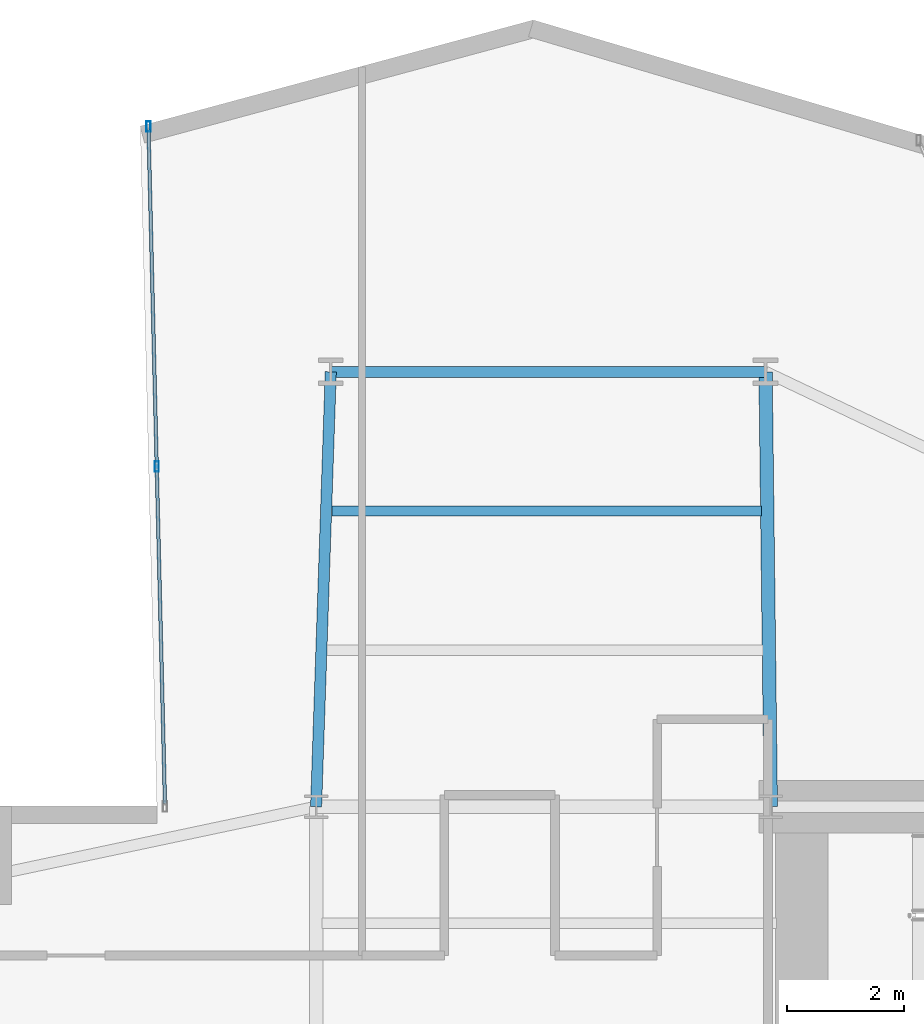
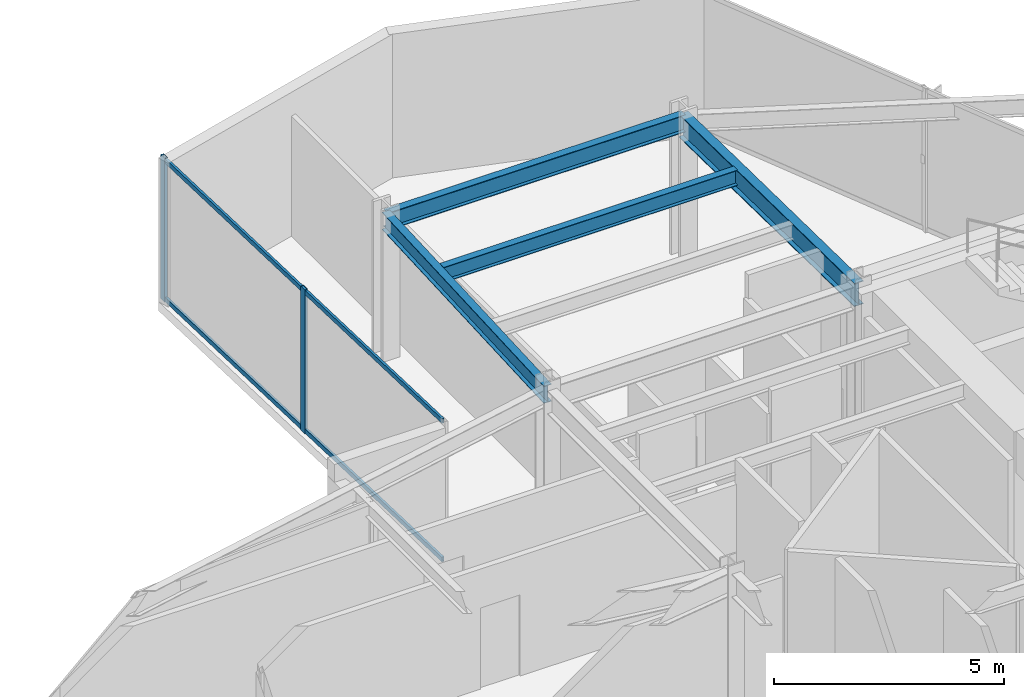
# One storey, part 16 of 25: 4 beams, 4 members, 1 element without a shape of its own.
"""IFC4 building model written with IfcOpenShell, lengths in metres."""

from ifc_helpers import new_model, si_unit, direction, frame, origin, origin_2d, place, context, subcontext, project, spatial, hollow_rectangle, i_section, extrude, material, layer, layer_set, material_profile, profile_set, type_object, element, aggregate, save


model = new_model("IFC4")

# Units and contexts
model_context = context("Model", 3, precision=1e-05, world=origin(), true_north=direction((0.0, 1.0)))
body_context = subcontext(model_context, "Body", "Model", "MODEL_VIEW")
ifc_project = project(units=[si_unit("LENGTHUNIT", "METRE"), si_unit("AREAUNIT", "SQUARE_METRE"), si_unit("VOLUMEUNIT", "CUBIC_METRE"), si_unit("PLANEANGLEUNIT", "RADIAN"), si_unit("MASSUNIT", "GRAM", prefix="KILO")], contexts=[model_context])

# Site, building, storey
site_placement = place(None, origin())
site = spatial("IfcSite", under=ifc_project, at=site_placement, CompositionType="ELEMENT")
building_placement = place(site_placement, origin())
building = spatial("IfcBuilding", under=site, at=building_placement, Name="Veymaron Broadcast Tower", CompositionType="ELEMENT")
storey_placement = place(building_placement, frame((0.0, 0.0, 74.25)))
storey = spatial("IfcBuildingStorey", under=building, at=storey_placement, Name="L16", CompositionType="ELEMENT", Elevation=74.25)

# Beams
ifc_material_1 = material(Name="Structural steel ASTM A992 Gr 50", Category="steel")
ifc_material_profile_1 = material_profile(ifc_material_1, i_section(OverallWidth=0.22998046875, OverallDepth=0.616943359375, WebThickness=0.01318359375, FlangeThickness=0.022216796875, at=origin_2d()), Name="W610X140")
ifc_profile_set_1 = profile_set([ifc_material_profile_1], Name="Structural steel ASTM A992 Gr 50")
beam_type_1 = type_object("IfcBeamType", Name="BM-FG1", PredefinedType="BEAM", material=ifc_profile_set_1)
beam_1_placement = place(storey_placement, frame((39.0, 32.0, 3.50146484375), z_axis=(-0.012075307518, 0.999927090816, 0.0), x_axis=(-0.999927090816, -0.012075307518, 0.0)))
element("IfcBeam", 1, at=beam_1_placement, inside=storey, type_object=beam_type_1, Name="L16 primary structural floor girder", PredefinedType="BEAM", context=body_context, shape_type="SweptSolid", body=[
    extrude(i_section(OverallWidth=0.22998046875, OverallDepth=0.616943359375, WebThickness=0.01318359375, FlangeThickness=0.022216796875, at=origin_2d()), origin(), (0.0, 0.0, 1.0), 7.46044921875),
])
ifc_material_profile_2 = material_profile(ifc_material_1, i_section(OverallWidth=0.177978515625, OverallDepth=0.406982421875, WebThickness=0.0078125, FlangeThickness=0.0126953125, at=origin_2d()), Name="W410X60")
ifc_profile_set_2 = profile_set([ifc_material_profile_2], Name="Structural steel ASTM A992 Gr 50")
beam_type_2 = type_object("IfcBeamType", Name="BM-JS1", PredefinedType="JOIST", material=ifc_profile_set_2)
beam_2_placement = place(storey_placement, frame((31.471435546875, 37.07275390625, 3.6064453125), z_axis=(1.0, 0.0, 0.0), x_axis=(0.0, 1.0, 0.0)))
element("IfcBeam", 2, at=beam_2_placement, inside=storey, type_object=beam_type_2, Name="L16 Arm-B secondary joist 2", PredefinedType="JOIST", context=body_context, shape_type="SweptSolid", body=[
    extrude(i_section(OverallWidth=0.177978515625, OverallDepth=0.406982421875, WebThickness=0.0078125, FlangeThickness=0.0126953125, at=origin_2d()), origin(), (0.0, 0.0, 1.0), 7.367431640625),
])
ifc_material_profile_3 = material_profile(ifc_material_1, i_section(OverallWidth=0.19091796875, OverallDepth=0.4599609375, WebThickness=0.010009765625, FlangeThickness=0.01611328125, at=origin_2d()), Name="W460X82")
ifc_profile_set_3 = profile_set([ifc_material_profile_3], Name="Structural steel ASTM A992 Gr 50")
beam_type_3 = type_object("IfcBeamType", Name="BM-SP1", PredefinedType="SPANDREL", material=ifc_profile_set_3)
beam_3_placement = place(storey_placement, frame((31.199951171875, 32.0, 3.580078125), z_axis=(0.033754807852, 0.999430144106, 0.0), x_axis=(-0.999430144106, 0.033754807852, 0.0)))
element("IfcBeam", 3, at=beam_3_placement, inside=storey, type_object=beam_type_3, Name="L16 primary structural floor girder", PredefinedType="SPANDREL", context=body_context, shape_type="SweptSolid", body=[
    extrude(i_section(OverallWidth=0.19091796875, OverallDepth=0.4599609375, WebThickness=0.010009765625, FlangeThickness=0.01611328125, at=origin_2d()), origin(), (0.0, 0.0, 1.0), 7.464111328125),
])
beam_4_placement = place(storey_placement, frame((31.451904296875, 39.4599609375, 3.580078125), z_axis=(1.0, 0.0, 0.0), x_axis=(0.0, 1.0, 0.0)))
element("IfcBeam", 4, at=beam_4_placement, inside=storey, type_object=beam_type_3, Name="L16 primary structural floor girder", PredefinedType="SPANDREL", context=body_context, shape_type="SweptSolid", body=[
    extrude(i_section(OverallWidth=0.19091796875, OverallDepth=0.4599609375, WebThickness=0.010009765625, FlangeThickness=0.01611328125, at=origin_2d()), origin(), (0.0, 0.0, 1.0), 7.4580078125),
])

# Curtain wall, members
ifc_material_2 = material(Name="Anodised aluminium AA 6063-T6 and laminated low-E dark glass", Category="aluminium")
ifc_layer = layer(ifc_material_2, 0.179931640625)
ifc_layer_set = layer_set([ifc_layer], Name="Anodised aluminium AA 6063-T6 and laminated low-E dark glass")
curtain_wall_type = type_object("IfcCurtainWallType", Name="CW-SYS-02", PredefinedType="NOTDEFINED", material=ifc_layer_set)
curtain_wall_placement = place(storey_placement, origin())
curtain_wall = element("IfcCurtainWall", 5, at=curtain_wall_placement, inside=storey, type_object=curtain_wall_type, Name="L16 dark-glass curtain wall CW-L16-E8-1", PredefinedType="NOTDEFINED")
ifc_material_3 = material(Name="Anodised aluminium AA 6063-T6", Category="aluminium")
ifc_material_profile_4 = material_profile(ifc_material_3, hollow_rectangle(XDim=0.074951171875, YDim=0.179931640625, WallThickness=0.0048828125, at=origin_2d()), Name="AL180X75X5")
ifc_profile_set_4 = profile_set([ifc_material_profile_4], Name="Anodised aluminium AA 6063-T6")
member_type_1 = type_object("IfcMemberType", Name="CW-MUL-02", PredefinedType="MULLION", material=ifc_profile_set_4)
member_1_placement = place(storey_placement, frame((28.323974609375, 43.66943359375, 0.0), z_axis=(0.0, 0.0, 1.0), x_axis=(1.0, 0.0, 0.0)))
member_1 = element("IfcMember", 6, at=member_1_placement, type_object=member_type_1, Name="CW-L16-E8-1 mullion 0", PredefinedType="MULLION", context=body_context, shape_type="SweptSolid", body=[
    extrude(hollow_rectangle(XDim=0.074951171875, YDim=0.179931640625, WallThickness=0.0048828125, at=origin_2d()), origin(), (0.0, 0.0, 1.0), 3.81005859375),
])
member_2_placement = place(storey_placement, frame((28.46630859375, 37.83642578125, 0.0), z_axis=(0.0, 0.0, 1.0), x_axis=(1.0, 0.0, 0.0)))
member_2 = element("IfcMember", 7, at=member_2_placement, type_object=member_type_1, Name="CW-L16-E8-1 mullion 1", PredefinedType="MULLION", context=body_context, shape_type="SweptSolid", body=[
    extrude(hollow_rectangle(XDim=0.074951171875, YDim=0.179931640625, WallThickness=0.0048828125, at=origin_2d()), origin(), (0.0, 0.0, 1.0), 3.81005859375),
])
ifc_material_profile_5 = material_profile(ifc_material_3, hollow_rectangle(XDim=0.06005859375, YDim=0.1201171875, WallThickness=0.00390625, at=origin_2d()), Name="AL120X60X4")
ifc_profile_set_5 = profile_set([ifc_material_profile_5], Name="Anodised aluminium AA 6063-T6")
member_type_2 = type_object("IfcMemberType", Name="CW-TRN-02", PredefinedType="USERDEFINED", material=ifc_profile_set_5)
member_3_placement = place(storey_placement, frame((28.3251953125, 43.619384765625, 0.070068359375), z_axis=(0.02439430893, -0.999702414567, 0.0), x_axis=(0.999702414567, 0.02439430893, 0.0)))
member_3 = element("IfcMember", 8, at=member_3_placement, type_object=member_type_2, Name="CW-L16-E8-1 transom B", ObjectType="TRANSOM", PredefinedType="USERDEFINED", context=body_context, shape_type="SweptSolid", body=[
    extrude(hollow_rectangle(XDim=0.06005859375, YDim=0.1201171875, WallThickness=0.00390625, at=origin_2d()), origin(), (0.0, 0.0, 1.0), 11.5693359375),
])
member_4_placement = place(storey_placement, frame((28.3251953125, 43.619384765625, 3.739990234375), z_axis=(0.02439430893, -0.999702414567, 0.0), x_axis=(0.999702414567, 0.02439430893, 0.0)))
member_4 = element("IfcMember", 9, at=member_4_placement, type_object=member_type_2, Name="CW-L16-E8-1 transom T", ObjectType="TRANSOM", PredefinedType="USERDEFINED", context=body_context, shape_type="SweptSolid", body=[
    extrude(hollow_rectangle(XDim=0.06005859375, YDim=0.1201171875, WallThickness=0.00390625, at=origin_2d()), origin(), (0.0, 0.0, 1.0), 11.5693359375),
])
aggregate(curtain_wall, [member_1, member_2, member_3, member_4])

save(model, "model.ifc")
